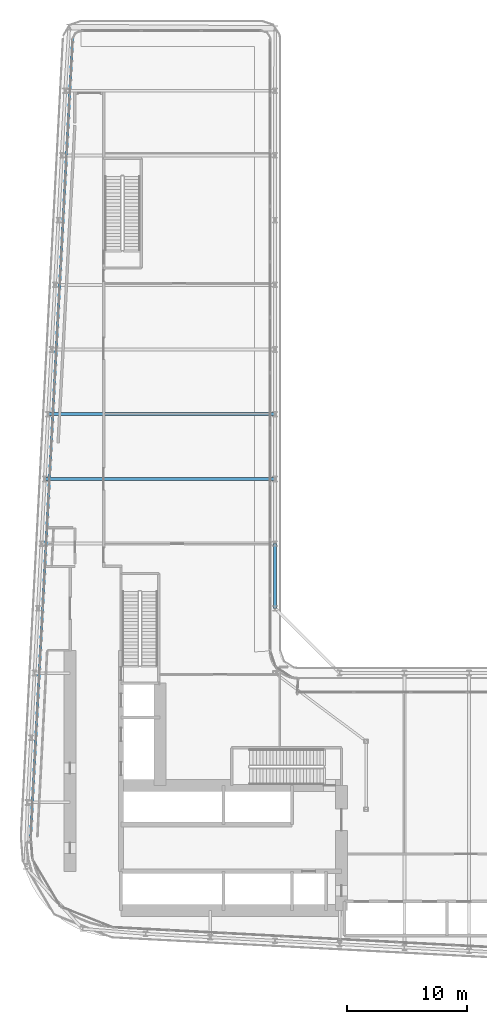
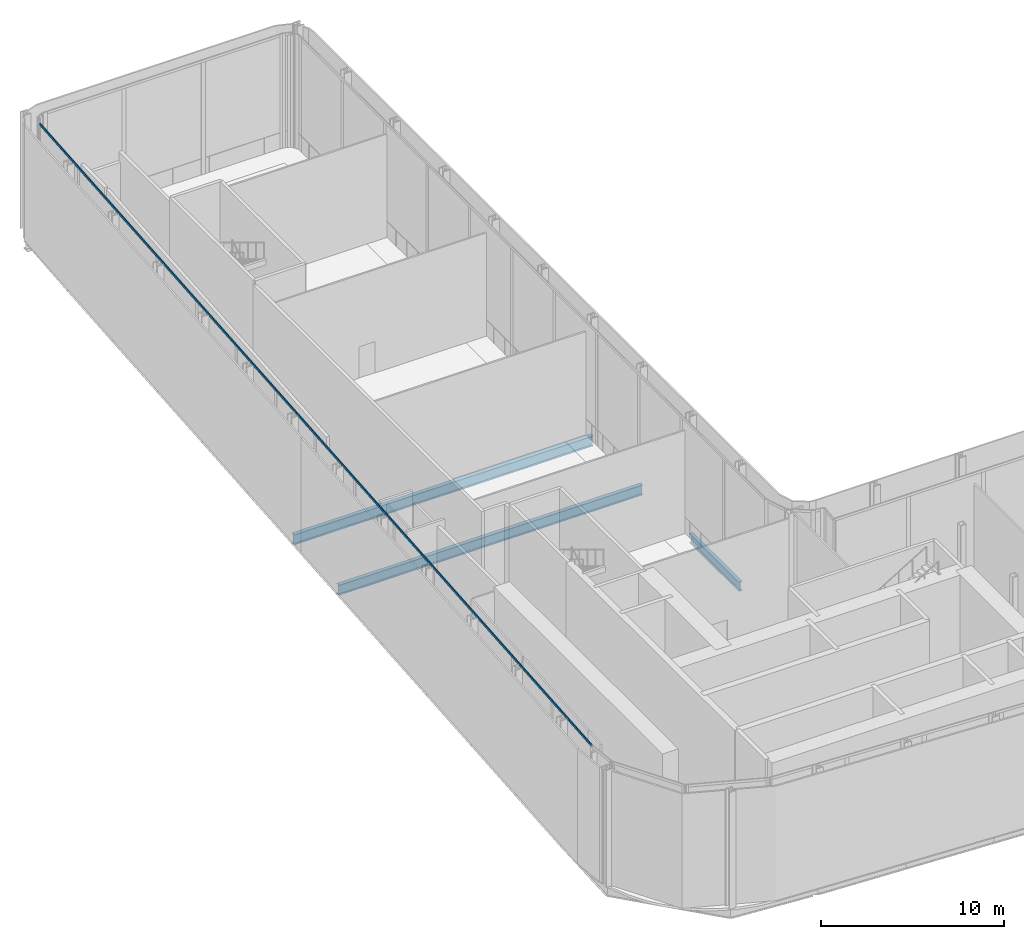
# One storey, part 11 of 36: 3 beams, 1 member, 1 element without a shape of its own.
"""IFC4 building model written with IfcOpenShell, lengths in metres."""

from ifc_helpers import new_model, si_unit, direction, frame, origin, origin_2d, place, context, subcontext, project, spatial, rectangle, i_section, extrude, material, layer, layer_set, material_profile, profile_set, type_object, element, aggregate, save


model = new_model("IFC4")

# Units and contexts
model_context = context("Model", 3, precision=1e-05, world=origin(), true_north=direction((0.0, 1.0)))
body_context = subcontext(model_context, "Body", "Model", "MODEL_VIEW")
ifc_project = project(units=[si_unit("LENGTHUNIT", "METRE"), si_unit("AREAUNIT", "SQUARE_METRE"), si_unit("VOLUMEUNIT", "CUBIC_METRE"), si_unit("PLANEANGLEUNIT", "RADIAN"), si_unit("MASSUNIT", "GRAM", prefix="KILO")], contexts=[model_context])

# Site, building, storey
site_placement = place(None, origin())
site = spatial("IfcSite", under=ifc_project, at=site_placement, CompositionType="ELEMENT")
building_placement = place(site_placement, origin())
building = spatial("IfcBuilding", under=site, at=building_placement, Name="Kheshtan School and Residences Tower", CompositionType="ELEMENT")
storey_placement = place(building_placement, frame((0.0, 0.0, 81.199951171875)))
storey = spatial("IfcBuildingStorey", under=building, at=storey_placement, Name="L19", CompositionType="ELEMENT", Elevation=81.199951171875)

# Beams
ifc_material_1 = material(Name="Steel ASTM A992 Grade 50", Category="steel")
ifc_material_profile_1 = material_profile(ifc_material_1, i_section(OverallWidth=0.2529296875, OverallDepth=0.677978515625, WebThickness=0.01171875, FlangeThickness=0.016357421875, FilletRadius=0.0146484375, at=origin_2d()), Name="W690x125")
ifc_profile_set_1 = profile_set([ifc_material_profile_1], Name="Steel ASTM A992 Grade 50")
beam_type_1 = type_object("IfcBeamType", Name="Beam FB6 W690x125 ASTM A992 Grade 50", PredefinedType="BEAM", material=ifc_profile_set_1)
beam_1_placement = place(storey_placement, frame((47.60009765625, 61.800048828125, -0.489013671875), z_axis=(-1.0, 0.0, 0.0), x_axis=(0.0, -1.0, 0.0)))
element("IfcBeam", 1, at=beam_1_placement, inside=storey, type_object=beam_type_1, Name="Floor beam C083", PredefinedType="BEAM", context=body_context, shape_type="SweptSolid", body=[
    extrude(i_section(OverallWidth=0.2529296875, OverallDepth=0.677978515625, WebThickness=0.01171875, FlangeThickness=0.016357421875, FilletRadius=0.0146484375, at=origin_2d()), origin(), (0.0, 0.0, 1.0), 19.210205078125),
])
beam_2_placement = place(storey_placement, frame((28.674072265625, 67.199951171875, -0.489013671875), z_axis=(1.0, 0.0, 0.0), x_axis=(0.0, 1.0, 0.0)))
element("IfcBeam", 2, at=beam_2_placement, inside=storey, type_object=beam_type_1, Name="Floor beam C084", PredefinedType="BEAM", context=body_context, shape_type="SweptSolid", body=[
    extrude(i_section(OverallWidth=0.2529296875, OverallDepth=0.677978515625, WebThickness=0.01171875, FlangeThickness=0.016357421875, FilletRadius=0.0146484375, at=origin_2d()), origin(), (0.0, 0.0, 1.0), 18.926025390625),
])
ifc_material_profile_2 = material_profile(ifc_material_1, i_section(OverallWidth=0.22998046875, OverallDepth=0.616943359375, WebThickness=0.01318359375, FlangeThickness=0.022216796875, FilletRadius=0.0185546875, at=origin_2d()), Name="W610x140")
ifc_profile_set_2 = profile_set([ifc_material_profile_2], Name="Steel ASTM A992 Grade 50")
beam_type_2 = type_object("IfcBeamType", Name="Beam SP1 W610x140 ASTM A992 Grade 50", PredefinedType="BEAM", material=ifc_profile_set_2)
beam_3_placement = place(storey_placement, frame((47.60009765625, 56.39990234375, -0.45849609375), z_axis=(0.0, -1.0, 0.0), x_axis=(1.0, 0.0, 0.0)))
element("IfcBeam", 3, at=beam_3_placement, inside=storey, type_object=beam_type_2, Name="Spandrel beam C081-C079", PredefinedType="BEAM", context=body_context, shape_type="SweptSolid", body=[
    extrude(i_section(OverallWidth=0.22998046875, OverallDepth=0.616943359375, WebThickness=0.01318359375, FlangeThickness=0.022216796875, FilletRadius=0.0185546875, at=origin_2d()), origin(), (0.0, 0.0, 1.0), 5.39990234375),
])

# Curtain wall, member
ifc_material_2 = material(Name="Clear low-e glass in thermally broken aluminium frame", Category="aluminium")
ifc_layer = layer(ifc_material_2, 0.25)
ifc_layer_set = layer_set([ifc_layer], Name="Curtain wall CW-K")
curtain_wall_type = type_object("IfcCurtainWallType", Name="Curtain wall CW-K", PredefinedType="NOTDEFINED", material=ifc_layer_set)
curtain_wall_placement = place(storey_placement, origin())
curtain_wall = element("IfcCurtainWall", 4, at=curtain_wall_placement, inside=storey, type_object=curtain_wall_type, Name="Curtain wall CWK18", PredefinedType="NOTDEFINED")
ifc_material_3 = material(Name="Thermally broken aluminium, dark bronze anodised", Category="aluminium")
ifc_material_profile_3 = material_profile(ifc_material_3, rectangle(XDim=0.06005859375, YDim=0.159912109375, at=origin_2d()), Name="CW-K transom 60x160")
ifc_profile_set_3 = profile_set([ifc_material_profile_3], Name="Thermally broken aluminium, dark bronze anodised")
member_type = type_object("IfcMemberType", Name="CW-K transom 60x160", PredefinedType="USERDEFINED", material=ifc_profile_set_3)
member_placement = place(storey_placement, frame((27.219482421875, 31.963623046875, 7.570068359375), z_axis=(0.052565184819, 0.998617495012, 0.0), x_axis=(-0.998617495012, 0.052565184819, 0.0)))
member = element("IfcMember", 5, at=member_placement, type_object=member_type, Name="CWK18 transom 1", ObjectType="TRANSOM", PredefinedType="USERDEFINED", context=body_context, shape_type="SweptSolid", body=[
    extrude(rectangle(XDim=0.06005859375, YDim=0.159912109375, at=origin_2d()), origin(), (0.0, 0.0, 1.0), 66.57470703125),
])
aggregate(curtain_wall, [member])

save(model, "model.ifc")
